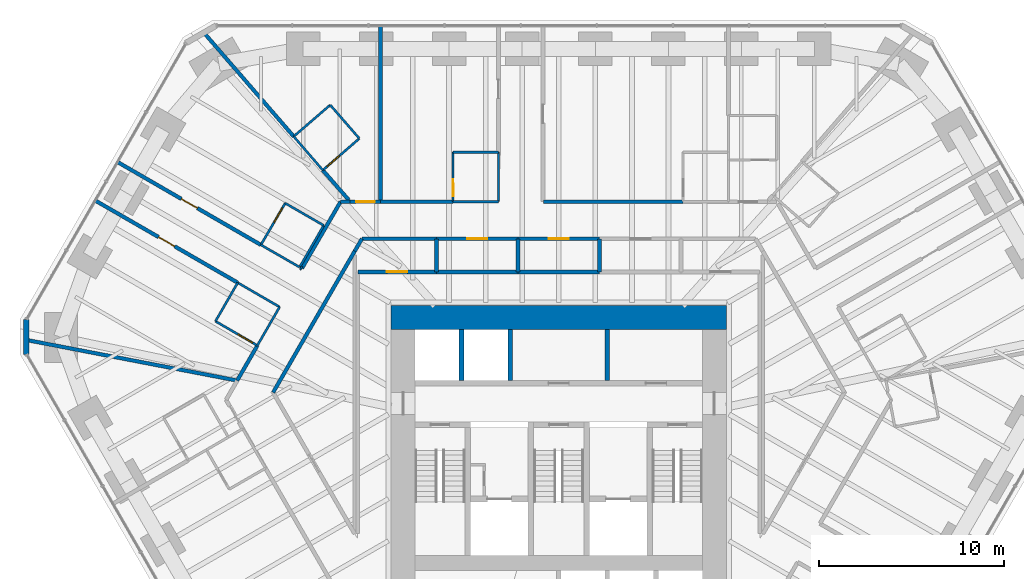
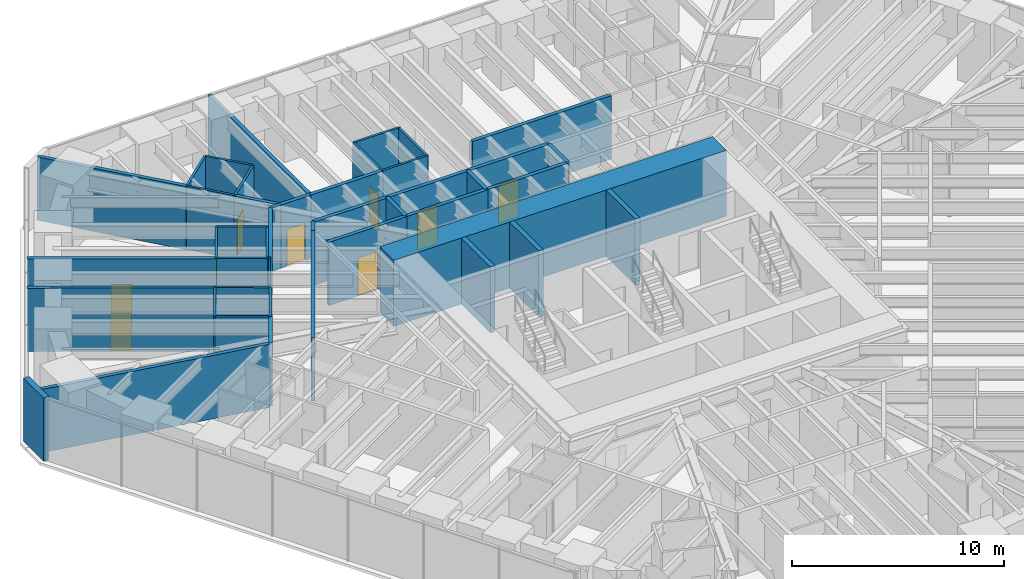
# One storey, part 14 of 17: 45 walls, 10 doors, 10 openings.
"""IFC4 building model written with IfcOpenShell, lengths in metres."""

from ifc_helpers import new_model, si_unit, direction, frame, frame_2d, origin, place, context, subcontext, project, spatial, rectangle, extrude, material, layer, layer_set, type_object, element, fill, save


model = new_model("IFC4")

# Units and contexts
model_context = context("Model", 3, precision=1e-05, world=origin(), true_north=direction((0.0, 1.0)))
body_context = subcontext(model_context, "Body", "Model", "MODEL_VIEW")
ifc_project = project(units=[si_unit("LENGTHUNIT", "METRE"), si_unit("AREAUNIT", "SQUARE_METRE"), si_unit("VOLUMEUNIT", "CUBIC_METRE"), si_unit("PLANEANGLEUNIT", "RADIAN"), si_unit("MASSUNIT", "GRAM", prefix="KILO")], contexts=[model_context])

# Site, building, storey
site_placement = place(None, origin())
site = spatial("IfcSite", under=ifc_project, at=site_placement, CompositionType="ELEMENT")
building_placement = place(site_placement, origin())
building = spatial("IfcBuilding", under=site, at=building_placement, Name="Sandreach Pilgrim Tower", CompositionType="ELEMENT")
storey_placement = place(building_placement, frame((0.0, 0.0, 104.39990234375)))
storey = spatial("IfcBuildingStorey", under=building, at=storey_placement, Name="L25", CompositionType="ELEMENT", Elevation=104.39990234375)

# Wall, opening, door
ifc_material_1 = material(Name="Moisture-resistant gypsum board on steel studs", Category="steel")
ifc_layer_1 = layer(ifc_material_1, 0.1201171875)
ifc_layer_set_1 = layer_set([ifc_layer_1], Name="Bathroom partition 120")
wall_type_1 = type_object("IfcWallType", Name="Bathroom partition 120", PredefinedType="PARTITIONING", material=ifc_layer_set_1)
wall_1_placement = place(storey_placement, frame((-18.52001953125, 6.5400390625, 0.0), z_axis=(0.0, 0.0, 1.0), x_axis=(0.865155281359, -0.50150407689, 0.0)))
wall_1 = element("IfcWall", 1, at=wall_1_placement, inside=storey, type_object=wall_type_1, Name="Bathroom partition L25-012", PredefinedType="PARTITIONING", context=body_context, shape_type="SweptSolid", body=[
    extrude(rectangle(XDim=2.6123046875, YDim=0.1201171875, at=frame_2d((1.30615234375, 0.0))), origin(), (0.0, 0.0, 1.0), 3.64013671875),
])
opening_1_placement = place(wall_1_placement, frame((1.412109375, 0.0, 0.0)))
opening_1 = element("IfcOpeningElement", 2, at=opening_1_placement, cuts=wall_1, Name="Opening D09-16B", PredefinedType="OPENING", context=body_context, shape_type="SweptSolid", body=[
    extrude(rectangle(XDim=0.89990234375, YDim=2.030029296875, at=frame_2d((0.449951171875, 1.01513671875))), frame((0.0, 0.06005859375, 0.0), z_axis=(0.0, -1.0, 0.0), x_axis=(1.0, 0.0, 0.0)), (0.0, 0.0, 1.0), 0.1201171875),
])
ifc_material_2 = material(Name="Timber door, steel frame", Category="steel")
door_type_1 = type_object("IfcDoorType", Name="Bathroom door", OperationType="SINGLE_SWING_LEFT", PredefinedType="DOOR", material=ifc_material_2)
door_1_placement = place(opening_1_placement, origin())
door_1 = element("IfcDoor", 3, at=door_1_placement, inside=storey, type_object=door_type_1, Name="Door 2516B", OperationType="SINGLE_SWING_RIGHT", OverallHeight=2.030029296875, OverallWidth=0.89990234375, PredefinedType="DOOR", context=body_context, shape_type="SweptSolid", body=[
    extrude(rectangle(XDim=0.89990234375, YDim=2.030029296875, at=frame_2d((0.449951171875, 1.01513671875))), frame((0.0, 0.02490234375, 0.0), z_axis=(0.0, -1.0, 0.0), x_axis=(1.0, 0.0, 0.0)), (0.0, 0.0, 1.0), 0.050048828125),
])
fill(opening_1, door_1)

# Walls
wall_2_placement = place(storey_placement, frame((-17.320068359375, 8.6201171875, 0.0), z_axis=(0.0, 0.0, 1.0), x_axis=(-0.499693115345, -0.866202511239, 0.0)))
element("IfcWall", 4, at=wall_2_placement, inside=storey, type_object=wall_type_1, Name="Bathroom partition L25-020", PredefinedType="PARTITIONING", context=body_context, shape_type="SweptSolid", body=[
    extrude(rectangle(XDim=2.4013671875, YDim=0.1201171875, at=frame_2d((1.20068359375, 0.0))), origin(), (0.0, 0.0, 1.0), 3.64013671875),
])
wall_3_placement = place(storey_placement, frame((-17.320068359375, 8.6201171875, 0.0), z_axis=(0.0, 0.0, 1.0), x_axis=(0.865155281359, -0.50150407689, 0.0)))
element("IfcWall", 5, at=wall_3_placement, inside=storey, type_object=wall_type_1, Name="Bathroom partition L25-021", PredefinedType="PARTITIONING", context=body_context, shape_type="SweptSolid", body=[
    extrude(rectangle(XDim=2.6123046875, YDim=0.1201171875, at=frame_2d((1.30615234375, 0.0))), origin(), (0.0, 0.0, 1.0), 3.64013671875),
])
wall_4_placement = place(storey_placement, frame((-16.261474609375, 5.23095703125, 0.0), z_axis=(0.0, 0.0, 1.0), x_axis=(0.500326720225, 0.865836689583, 0.0)))
element("IfcWall", 6, at=wall_4_placement, inside=storey, type_object=wall_type_1, Name="Bathroom partition L25-023", PredefinedType="PARTITIONING", context=body_context, shape_type="SweptSolid", body=[
    extrude(rectangle(XDim=2.4013671875, YDim=0.1201171875, at=frame_2d((1.20068359375, 0.0))), origin(), (0.0, 0.0, 1.0), 3.64013671875),
])
wall_5_placement = place(storey_placement, frame((-16.070068359375, 10.659912109375, 0.0), z_axis=(0.0, 0.0, 1.0), x_axis=(0.866987280299, -0.498330267795, 0.0)))
element("IfcWall", 7, at=wall_5_placement, inside=storey, type_object=wall_type_1, Name="Bathroom partition L25-024", PredefinedType="PARTITIONING", context=body_context, shape_type="SweptSolid", body=[
    extrude(rectangle(XDim=2.409912109375, YDim=0.1201171875, at=frame_2d((1.205078125, 0.0))), origin(), (0.0, 0.0, 1.0), 3.64013671875),
])

# Wall, opening, door
wall_6_placement = place(storey_placement, frame((-14.760009765625, 12.909912109375, 0.0), z_axis=(0.0, 0.0, 1.0), x_axis=(-0.503171227198, -0.864186736834, 0.0)))
wall_6 = element("IfcWall", 8, at=wall_6_placement, inside=storey, type_object=wall_type_1, Name="Bathroom partition L25-027", PredefinedType="PARTITIONING", context=body_context, shape_type="SweptSolid", body=[
    extrude(rectangle(XDim=2.603515625, YDim=0.1201171875, at=frame_2d((1.3017578125, 0.0))), origin(), (0.0, 0.0, 1.0), 3.64013671875),
])
opening_2_placement = place(wall_6_placement, frame((0.300048828125, 0.0, 0.0)))
opening_2 = element("IfcOpeningElement", 9, at=opening_2_placement, cuts=wall_6, Name="Opening D09-17B", PredefinedType="OPENING", context=body_context, shape_type="SweptSolid", body=[
    extrude(rectangle(XDim=0.89990234375, YDim=2.030029296875, at=frame_2d((0.449951171875, 1.01513671875))), frame((0.0, 0.06005859375, 0.0), z_axis=(0.0, -1.0, 0.0), x_axis=(1.0, 0.0, 0.0)), (0.0, 0.0, 1.0), 0.1201171875),
])
door_2_placement = place(opening_2_placement, origin())
door_2 = element("IfcDoor", 10, at=door_2_placement, inside=storey, type_object=door_type_1, Name="Door 2517B", OperationType="SINGLE_SWING_LEFT", OverallHeight=2.030029296875, OverallWidth=0.89990234375, PredefinedType="DOOR", context=body_context, shape_type="SweptSolid", body=[
    extrude(rectangle(XDim=0.89990234375, YDim=2.030029296875, at=frame_2d((0.449951171875, 1.01513671875))), frame((0.0, 0.02490234375, 0.0), z_axis=(0.0, -1.0, 0.0), x_axis=(1.0, 0.0, 0.0)), (0.0, 0.0, 1.0), 0.050048828125),
])
fill(opening_2, door_2)

# Walls
wall_7_placement = place(storey_placement, frame((-14.300048828125, 16.510009765625, 0.0), z_axis=(0.0, 0.0, 1.0), x_axis=(0.653188728136, -0.757195143563, 0.0)))
element("IfcWall", 11, at=wall_7_placement, inside=storey, type_object=wall_type_1, Name="Bathroom partition L25-028", PredefinedType="PARTITIONING", context=body_context, shape_type="SweptSolid", body=[
    extrude(rectangle(XDim=2.40380859375, YDim=0.1201171875, at=frame_2d((1.201904296875, 0.0))), origin(), (0.0, 0.0, 1.0), 3.64013671875),
])
wall_8_placement = place(storey_placement, frame((-13.97998046875, 9.4599609375, 0.0), z_axis=(0.0, 0.0, 1.0), x_axis=(0.500291685314, 0.865856933682, 0.0)))
element("IfcWall", 12, at=wall_8_placement, inside=storey, type_object=wall_type_1, Name="Bathroom partition L25-030", PredefinedType="PARTITIONING", context=body_context, shape_type="SweptSolid", body=[
    extrude(rectangle(XDim=2.5986328125, YDim=0.1201171875, at=frame_2d((1.29931640625, 0.0))), origin(), (0.0, 0.0, 1.0), 3.64013671875),
])

# Wall, opening, door
wall_9_placement = place(storey_placement, frame((-12.72998046875, 14.68994140625, 0.0), z_axis=(0.0, 0.0, 1.0), x_axis=(0.755185511235, 0.655511131576, 0.0)))
wall_9 = element("IfcWall", 13, at=wall_9_placement, inside=storey, type_object=wall_type_1, Name="Bathroom partition L25-035", PredefinedType="PARTITIONING", context=body_context, shape_type="SweptSolid", body=[
    extrude(rectangle(XDim=2.608642578125, YDim=0.1201171875, at=frame_2d((1.30419921875, 0.0))), origin(), (0.0, 0.0, 1.0), 3.64013671875),
])
opening_3_placement = place(wall_9_placement, frame((0.300048828125, 0.0, 0.0)))
opening_3 = element("IfcOpeningElement", 14, at=opening_3_placement, cuts=wall_9, Name="Opening D09-01B", PredefinedType="OPENING", context=body_context, shape_type="SweptSolid", body=[
    extrude(rectangle(XDim=0.89990234375, YDim=2.030029296875, at=frame_2d((0.449951171875, 1.01513671875))), frame((0.0, 0.06005859375, 0.0), z_axis=(0.0, -1.0, 0.0), x_axis=(1.0, 0.0, 0.0)), (0.0, 0.0, 1.0), 0.1201171875),
])
door_3_placement = place(opening_3_placement, origin())
door_3 = element("IfcDoor", 15, at=door_3_placement, inside=storey, type_object=door_type_1, Name="Door 2501B", OperationType="SINGLE_SWING_LEFT", OverallHeight=2.030029296875, OverallWidth=0.89990234375, PredefinedType="DOOR", context=body_context, shape_type="SweptSolid", body=[
    extrude(rectangle(XDim=0.89990234375, YDim=2.030029296875, at=frame_2d((0.449951171875, 1.01513671875))), frame((0.0, 0.02490234375, 0.0), z_axis=(0.0, -1.0, 0.0), x_axis=(1.0, 0.0, 0.0)), (0.0, 0.0, 1.0), 0.050048828125),
])
fill(opening_3, door_3)

# Walls
wall_10_placement = place(storey_placement, frame((-12.679931640625, 11.7099609375, 0.0), z_axis=(0.0, 0.0, 1.0), x_axis=(-0.866202511239, 0.499693115345, 0.0)))
element("IfcWall", 16, at=wall_10_placement, inside=storey, type_object=wall_type_1, Name="Bathroom partition L25-036", PredefinedType="PARTITIONING", context=body_context, shape_type="SweptSolid", body=[
    extrude(rectangle(XDim=2.4013671875, YDim=0.1201171875, at=frame_2d((1.20068359375, 0.0))), origin(), (0.0, 0.0, 1.0), 3.64013671875),
])
wall_11_placement = place(storey_placement, frame((-12.330078125, 18.2099609375, 0.0), z_axis=(0.0, 0.0, 1.0), x_axis=(-0.757086659925, -0.653314464377, 0.0)))
element("IfcWall", 17, at=wall_11_placement, inside=storey, type_object=wall_type_1, Name="Bathroom partition L25-037", PredefinedType="PARTITIONING", context=body_context, shape_type="SweptSolid", body=[
    extrude(rectangle(XDim=2.60205078125, YDim=0.1201171875, at=frame_2d((1.301025390625, 0.0))), origin(), (0.0, 0.0, 1.0), 3.64013671875),
])
wall_12_placement = place(storey_placement, frame((-10.760009765625, 16.39990234375, 0.0), z_axis=(0.0, 0.0, 1.0), x_axis=(-0.655252439976, 0.755409981338, 0.0)))
element("IfcWall", 18, at=wall_12_placement, inside=storey, type_object=wall_type_1, Name="Bathroom partition L25-046", PredefinedType="PARTITIONING", context=body_context, shape_type="SweptSolid", body=[
    extrude(rectangle(XDim=2.396240234375, YDim=0.1201171875, at=frame_2d((1.1982421875, 0.0))), origin(), (0.0, 0.0, 1.0), 3.64013671875),
])

# Wall, opening, door
wall_13_placement = place(storey_placement, frame((-5.7099609375, 15.659912109375, 0.0), z_axis=(0.0, 0.0, 1.0), x_axis=(0.003749059241, -0.999992972253, 0.0)))
wall_13 = element("IfcWall", 19, at=wall_13_placement, inside=storey, type_object=wall_type_1, Name="Bathroom partition L25-062", PredefinedType="PARTITIONING", context=body_context, shape_type="SweptSolid", body=[
    extrude(rectangle(XDim=2.669921875, YDim=0.1201171875, at=frame_2d((1.3349609375, 0.0))), origin(), (0.0, 0.0, 1.0), 3.64013671875),
])
opening_4_placement = place(wall_13_placement, frame((1.469970703125, 0.0, 0.0)))
opening_4 = element("IfcOpeningElement", 20, at=opening_4_placement, cuts=wall_13, Name="Opening D09-02B", PredefinedType="OPENING", context=body_context, shape_type="SweptSolid", body=[
    extrude(rectangle(XDim=0.89990234375, YDim=2.030029296875, at=frame_2d((0.449951171875, 1.01513671875))), frame((0.0, 0.06005859375, 0.0), z_axis=(0.0, -1.0, 0.0), x_axis=(1.0, 0.0, 0.0)), (0.0, 0.0, 1.0), 0.1201171875),
])
door_4_placement = place(opening_4_placement, origin())
door_4 = element("IfcDoor", 21, at=door_4_placement, inside=storey, type_object=door_type_1, Name="Door 2502B", OperationType="SINGLE_SWING_RIGHT", OverallHeight=2.030029296875, OverallWidth=0.89990234375, PredefinedType="DOOR", context=body_context, shape_type="SweptSolid", body=[
    extrude(rectangle(XDim=0.89990234375, YDim=2.030029296875, at=frame_2d((0.449951171875, 1.01513671875))), frame((0.0, 0.02490234375, 0.0), z_axis=(0.0, -1.0, 0.0), x_axis=(1.0, 0.0, 0.0)), (0.0, 0.0, 1.0), 0.050048828125),
])
fill(opening_4, door_4)

# Walls
wall_14_placement = place(storey_placement, frame((-3.25, 12.989990234375, 0.0), z_axis=(0.0, 0.0, 1.0), x_axis=(-1.0, 0.0, 0.0)))
element("IfcWall", 22, at=wall_14_placement, inside=storey, type_object=wall_type_1, Name="Bathroom partition L25-070", PredefinedType="PARTITIONING", context=body_context, shape_type="SweptSolid", body=[
    extrude(rectangle(XDim=2.449951171875, YDim=0.1201171875, at=frame_2d((1.22509765625, 0.0))), origin(), (0.0, 0.0, 1.0), 3.64013671875),
])
wall_15_placement = place(storey_placement, frame((-3.25, 15.659912109375, 0.0), z_axis=(0.0, 0.0, 1.0), x_axis=(-1.0, 0.0, 0.0)))
element("IfcWall", 23, at=wall_15_placement, inside=storey, type_object=wall_type_1, Name="Bathroom partition L25-071", PredefinedType="PARTITIONING", context=body_context, shape_type="SweptSolid", body=[
    extrude(rectangle(XDim=2.4599609375, YDim=0.1201171875, at=frame_2d((1.22998046875, 0.0))), origin(), (0.0, 0.0, 1.0), 3.64013671875),
])
wall_16_placement = place(storey_placement, frame((-3.25, 15.659912109375, 0.0), z_axis=(0.0, 0.0, 1.0), x_axis=(0.0, -1.0, 0.0)))
element("IfcWall", 24, at=wall_16_placement, inside=storey, type_object=wall_type_1, Name="Bathroom partition L25-072", PredefinedType="PARTITIONING", context=body_context, shape_type="SweptSolid", body=[
    extrude(rectangle(XDim=2.669921875, YDim=0.1201171875, at=frame_2d((1.3349609375, 0.0))), origin(), (0.0, 0.0, 1.0), 3.64013671875),
])
ifc_material_3 = material(Name="Concrete 10000 psi", Category="concrete")
ifc_layer_2 = layer(ifc_material_3, 1.300048828125)
ifc_layer_set_2 = layer_set([ifc_layer_2], Name="Core wall 1300")
wall_type_2 = type_object("IfcWallType", Name="Core wall 1300", PredefinedType="SHEAR", material=ifc_layer_set_2)
wall_17_placement = place(storey_placement, frame((-9.050048828125, 6.75, 0.0), z_axis=(0.0, 0.0, 1.0), x_axis=(1.0, 0.0, 0.0)))
element("IfcWall", 25, at=wall_17_placement, inside=storey, type_object=wall_type_2, Name="Core wall N L25", PredefinedType="SHEAR", context=body_context, shape_type="SweptSolid", body=[
    extrude(rectangle(XDim=18.10009765625, YDim=1.300048828125, at=frame_2d((9.050048828125, 0.0))), origin(), (0.0, 0.0, 1.0), 3.800048828125),
])

# Wall, opening, door
ifc_material_4 = material(Name="Gypsum board on steel studs, two layers each side", Category="steel")
ifc_layer_3 = layer(ifc_material_4, 0.199951171875)
ifc_layer_set_3 = layer_set([ifc_layer_3], Name="Corridor wall 200")
wall_type_3 = type_object("IfcWallType", Name="Corridor wall 200", PredefinedType="PARTITIONING", material=ifc_layer_set_3)
wall_18_placement = place(storey_placement, frame((-24.993896484375, 13.044921875, 0.0), z_axis=(0.0, 0.0, 1.0), x_axis=(0.866303025974, -0.499518835669, 0.0)))
wall_18 = element("IfcWall", 26, at=wall_18_placement, inside=storey, type_object=wall_type_3, Name="Corridor wall L25-002", PredefinedType="PARTITIONING", context=body_context, shape_type="SweptSolid", body=[
    extrude(rectangle(XDim=8.858154296875, YDim=0.199951171875, at=frame_2d((4.42919921875, 0.0))), origin(), (0.0, 0.0, 1.0), 3.64013671875),
])
opening_5_placement = place(wall_18_placement, frame((3.92919921875, 0.0, 0.0)))
opening_5 = element("IfcOpeningElement", 27, at=opening_5_placement, cuts=wall_18, Name="Opening D10-16", PredefinedType="OPENING", context=body_context, shape_type="SweptSolid", body=[
    extrude(rectangle(XDim=1.0, YDim=2.1298828125, at=frame_2d((0.5, 1.06494140625))), frame((0.0, 0.10009765625, 0.0), z_axis=(0.0, -1.0, 0.0), x_axis=(1.0, 0.0, 0.0)), (0.0, 0.0, 1.0), 0.199951171875),
])
ifc_material_5 = material(Name="Steel door and frame", Category="steel")
door_type_2 = type_object("IfcDoorType", Name="Guest room entry door", OperationType="SINGLE_SWING_LEFT", PredefinedType="DOOR", material=ifc_material_5)
door_5_placement = place(opening_5_placement, origin())
door_5 = element("IfcDoor", 28, at=door_5_placement, inside=storey, type_object=door_type_2, Name="Door 2516", OperationType="SINGLE_SWING_LEFT", OverallHeight=2.1298828125, OverallWidth=1.0, PredefinedType="DOOR", context=body_context, shape_type="SweptSolid", body=[
    extrude(rectangle(XDim=1.0, YDim=2.1298828125, at=frame_2d((0.5, 1.06494140625))), frame((0.0, 0.02490234375, 0.0), z_axis=(0.0, -1.0, 0.0), x_axis=(1.0, 0.0, 0.0)), (0.0, 0.0, 1.0), 0.050048828125),
])
fill(opening_5, door_5)

wall_19_placement = place(storey_placement, frame((-23.7939453125, 15.125, 0.0), z_axis=(0.0, 0.0, 1.0), x_axis=(0.865748355596, -0.500479554809, 0.0)))
wall_19 = element("IfcWall", 29, at=wall_19_placement, inside=storey, type_object=wall_type_3, Name="Corridor wall L25-004", PredefinedType="PARTITIONING", context=body_context, shape_type="SweptSolid", body=[
    extrude(rectangle(XDim=8.921630859375, YDim=0.199951171875, at=frame_2d((4.4609375, 0.0))), origin(), (0.0, 0.0, 1.0), 3.64013671875),
])
opening_6_placement = place(wall_19_placement, frame((3.960693359375, 0.0, 0.0)))
opening_6 = element("IfcOpeningElement", 30, at=opening_6_placement, cuts=wall_19, Name="Opening D10-17", PredefinedType="OPENING", context=body_context, shape_type="SweptSolid", body=[
    extrude(rectangle(XDim=1.0, YDim=2.1298828125, at=frame_2d((0.5, 1.06494140625))), frame((0.0, 0.10009765625, 0.0), z_axis=(0.0, -1.0, 0.0), x_axis=(1.0, 0.0, 0.0)), (0.0, 0.0, 1.0), 0.199951171875),
])
door_6_placement = place(opening_6_placement, origin())
door_6 = element("IfcDoor", 31, at=door_6_placement, inside=storey, type_object=door_type_2, Name="Door 2517", OperationType="SINGLE_SWING_LEFT", OverallHeight=2.1298828125, OverallWidth=1.0, PredefinedType="DOOR", context=body_context, shape_type="SweptSolid", body=[
    extrude(rectangle(XDim=1.0, YDim=2.1298828125, at=frame_2d((0.5, 1.06494140625))), frame((0.0, 0.02490234375, 0.0), z_axis=(0.0, -1.0, 0.0), x_axis=(1.0, 0.0, 0.0)), (0.0, 0.0, 1.0), 0.050048828125),
])
fill(opening_6, door_6)

# Walls
wall_20_placement = place(storey_placement, frame((-17.35009765625, 3.340087890625, 0.0), z_axis=(0.0, 0.0, 1.0), x_axis=(0.499641723021, 0.866232156305, 0.0)))
element("IfcWall", 32, at=wall_20_placement, inside=storey, type_object=wall_type_3, Name="Corridor wall L25-019", PredefinedType="PARTITIONING", context=body_context, shape_type="SweptSolid", body=[
    extrude(rectangle(XDim=2.181640625, YDim=0.199951171875, at=frame_2d((1.0908203125, 0.0))), origin(), (0.0, 0.0, 1.0), 3.64013671875),
])
wall_21_placement = place(storey_placement, frame((-15.409912109375, 2.699951171875, 0.0), z_axis=(0.0, 0.0, 1.0), x_axis=(0.500036278648, 0.866004457284, 0.0)))
element("IfcWall", 33, at=wall_21_placement, inside=storey, type_object=wall_type_3, Name="Corridor wall L25-026", PredefinedType="PARTITIONING", context=body_context, shape_type="SweptSolid", body=[
    extrude(rectangle(XDim=8.799072265625, YDim=0.199951171875, at=frame_2d((4.3994140625, 0.0))), origin(), (0.0, 0.0, 1.0), 3.64013671875),
])
wall_22_placement = place(storey_placement, frame((-13.937255859375, 9.43408203125, 0.0), z_axis=(0.0, 0.0, 1.0), x_axis=(0.867735735179, -0.497025848315, 0.0)))
element("IfcWall", 34, at=wall_22_placement, inside=storey, type_object=wall_type_3, Name="Corridor wall L25-031", PredefinedType="PARTITIONING", context=body_context, shape_type="SweptSolid", body=[
    extrude(rectangle(XDim=0.0888671875, YDim=0.199951171875, at=frame_2d((0.04443359375, 0.0))), origin(), (0.0, 0.0, 1.0), 3.64013671875),
])
wall_23_placement = place(storey_placement, frame((-11.77001953125, 12.989990234375, 0.0), z_axis=(0.0, 0.0, 1.0), x_axis=(-0.502083167097, -0.864819341434, 0.0)))
element("IfcWall", 35, at=wall_23_placement, inside=storey, type_object=wall_type_3, Name="Corridor wall L25-038", PredefinedType="PARTITIONING", context=body_context, shape_type="SweptSolid", body=[
    extrude(rectangle(XDim=4.162841796875, YDim=0.199951171875, at=frame_2d((2.08154296875, 0.0))), origin(), (0.0, 0.0, 1.0), 3.64013671875),
])
wall_24_placement = place(storey_placement, frame((-11.25, 12.989990234375, 0.0), z_axis=(0.0, 0.0, 1.0), x_axis=(-1.0, 0.0, 0.0)))
element("IfcWall", 36, at=wall_24_placement, inside=storey, type_object=wall_type_3, Name="Corridor wall L25-040", PredefinedType="PARTITIONING", context=body_context, shape_type="SweptSolid", body=[
    extrude(rectangle(XDim=0.52001953125, YDim=0.199951171875, at=frame_2d((0.260009765625, 0.0))), origin(), (0.0, 0.0, 1.0), 3.64013671875),
])
wall_25_placement = place(storey_placement, frame((-11.010009765625, 10.320068359375, 0.0), z_axis=(0.0, 0.0, 1.0), x_axis=(0.503009091795, 0.864281119527, 0.0)))
element("IfcWall", 37, at=wall_25_placement, inside=storey, type_object=wall_type_3, Name="Corridor wall L25-043", PredefinedType="PARTITIONING", context=body_context, shape_type="SweptSolid", body=[
    extrude(rectangle(XDim=0.775146484375, YDim=0.199951171875, at=frame_2d((0.3876953125, 0.0))), origin(), (0.0, 0.0, 1.0), 3.64013671875),
])
wall_26_placement = place(storey_placement, frame((-10.6201171875, 10.989990234375, 0.0), z_axis=(0.0, 0.0, 1.0), x_axis=(1.0, 0.0, 0.0)))
element("IfcWall", 38, at=wall_26_placement, inside=storey, type_object=wall_type_3, Name="Corridor wall L25-047", PredefinedType="PARTITIONING", context=body_context, shape_type="SweptSolid", body=[
    extrude(rectangle(XDim=4.02001953125, YDim=0.199951171875, at=frame_2d((2.010009765625, 0.0))), origin(), (0.0, 0.0, 1.0), 3.64013671875),
])

# Wall, opening, door
wall_27_placement = place(storey_placement, frame((-9.6201171875, 12.989990234375, 0.0), z_axis=(0.0, 0.0, 1.0), x_axis=(-1.0, 0.0, 0.0)))
wall_27 = element("IfcWall", 39, at=wall_27_placement, inside=storey, type_object=wall_type_3, Name="Corridor wall L25-049", PredefinedType="PARTITIONING", context=body_context, shape_type="SweptSolid", body=[
    extrude(rectangle(XDim=1.6298828125, YDim=0.199951171875, at=frame_2d((0.81494140625, 0.0))), origin(), (0.0, 0.0, 1.0), 3.64013671875),
])
opening_7_placement = place(wall_27_placement, frame((0.31494140625, 0.0, 0.0)))
opening_7 = element("IfcOpeningElement", 40, at=opening_7_placement, cuts=wall_27, Name="Opening D10-01", PredefinedType="OPENING", context=body_context, shape_type="SweptSolid", body=[
    extrude(rectangle(XDim=1.0, YDim=2.1298828125, at=frame_2d((0.5, 1.06494140625))), frame((0.0, 0.10009765625, 0.0), z_axis=(0.0, -1.0, 0.0), x_axis=(1.0, 0.0, 0.0)), (0.0, 0.0, 1.0), 0.199951171875),
])
door_7_placement = place(opening_7_placement, origin())
door_7 = element("IfcDoor", 41, at=door_7_placement, inside=storey, type_object=door_type_2, Name="Door 2501", OperationType="SINGLE_SWING_LEFT", OverallHeight=2.1298828125, OverallWidth=1.0, PredefinedType="DOOR", context=body_context, shape_type="SweptSolid", body=[
    extrude(rectangle(XDim=1.0, YDim=2.1298828125, at=frame_2d((0.5, 1.06494140625))), frame((0.0, 0.02490234375, 0.0), z_axis=(0.0, -1.0, 0.0), x_axis=(1.0, 0.0, 0.0)), (0.0, 0.0, 1.0), 0.050048828125),
])
fill(opening_7, door_7)

wall_28_placement = place(storey_placement, frame((-6.60009765625, 9.199951171875, 0.0), z_axis=(0.0, 0.0, 1.0), x_axis=(-1.0, 0.0, 0.0)))
wall_28 = element("IfcWall", 42, at=wall_28_placement, inside=storey, type_object=wall_type_3, Name="Corridor wall L25-058", PredefinedType="PARTITIONING", context=body_context, shape_type="SweptSolid", body=[
    extrude(rectangle(XDim=4.239990234375, YDim=0.199951171875, at=frame_2d((2.1201171875, 0.0))), origin(), (0.0, 0.0, 1.0), 3.64013671875),
])
opening_8_placement = place(wall_28_placement, frame((1.570068359375, 0.0, 0.0)))
opening_8 = element("IfcOpeningElement", 43, at=opening_8_placement, cuts=wall_28, Name="Opening D11H-M02", PredefinedType="OPENING", context=body_context, shape_type="SweptSolid", body=[
    extrude(rectangle(XDim=1.10009765625, YDim=2.199951171875, at=frame_2d((0.550048828125, 1.10009765625))), frame((0.0, 0.10009765625, 0.0), z_axis=(0.0, -1.0, 0.0), x_axis=(1.0, 0.0, 0.0)), (0.0, 0.0, 1.0), 0.199951171875),
])
ifc_material_6 = material(Name="Steel door and frame", Category="steel")
door_type_3 = type_object("IfcDoorType", Name="Back of house door", OperationType="SINGLE_SWING_LEFT", PredefinedType="DOOR", material=ifc_material_6)
door_8_placement = place(opening_8_placement, origin())
door_8 = element("IfcDoor", 44, at=door_8_placement, inside=storey, type_object=door_type_3, Name="Door 25M02", OperationType="SINGLE_SWING_LEFT", OverallHeight=2.199951171875, OverallWidth=1.10009765625, PredefinedType="DOOR", context=body_context, shape_type="SweptSolid", body=[
    extrude(rectangle(XDim=1.10009765625, YDim=2.199951171875, at=frame_2d((0.550048828125, 1.10009765625))), frame((0.0, 0.02490234375, 0.0), z_axis=(0.0, -1.0, 0.0), x_axis=(1.0, 0.0, 0.0)), (0.0, 0.0, 1.0), 0.050048828125),
])
fill(opening_8, door_8)

wall_29_placement = place(storey_placement, frame((-6.60009765625, 10.989990234375, 0.0), z_axis=(0.0, 0.0, 1.0), x_axis=(1.0, 0.0, 0.0)))
wall_29 = element("IfcWall", 45, at=wall_29_placement, inside=storey, type_object=wall_type_3, Name="Corridor wall L25-060", PredefinedType="PARTITIONING", context=body_context, shape_type="SweptSolid", body=[
    extrude(rectangle(XDim=4.400146484375, YDim=0.199951171875, at=frame_2d((2.2001953125, 0.0))), origin(), (0.0, 0.0, 1.0), 3.64013671875),
])
opening_9_placement = place(wall_29_placement, frame((1.64990234375, 0.0, 0.0)))
opening_9 = element("IfcOpeningElement", 46, at=opening_9_placement, cuts=wall_29, Name="Opening D11H-M03", PredefinedType="OPENING", context=body_context, shape_type="SweptSolid", body=[
    extrude(rectangle(XDim=1.10009765625, YDim=2.199951171875, at=frame_2d((0.550048828125, 1.10009765625))), frame((0.0, 0.10009765625, 0.0), z_axis=(0.0, -1.0, 0.0), x_axis=(1.0, 0.0, 0.0)), (0.0, 0.0, 1.0), 0.199951171875),
])
door_9_placement = place(opening_9_placement, origin())
door_9 = element("IfcDoor", 47, at=door_9_placement, inside=storey, type_object=door_type_3, Name="Door 25M03", OperationType="SINGLE_SWING_LEFT", OverallHeight=2.199951171875, OverallWidth=1.10009765625, PredefinedType="DOOR", context=body_context, shape_type="SweptSolid", body=[
    extrude(rectangle(XDim=1.10009765625, YDim=2.199951171875, at=frame_2d((0.550048828125, 1.10009765625))), frame((0.0, 0.02490234375, 0.0), z_axis=(0.0, -1.0, 0.0), x_axis=(1.0, 0.0, 0.0)), (0.0, 0.0, 1.0), 0.050048828125),
])
fill(opening_9, door_9)

# Walls
wall_30_placement = place(storey_placement, frame((-5.699951171875, 12.989990234375, 0.0), z_axis=(0.0, 0.0, 1.0), x_axis=(-1.0, 0.0, 0.0)))
element("IfcWall", 48, at=wall_30_placement, inside=storey, type_object=wall_type_3, Name="Corridor wall L25-063", PredefinedType="PARTITIONING", context=body_context, shape_type="SweptSolid", body=[
    extrude(rectangle(XDim=3.920166015625, YDim=0.199951171875, at=frame_2d((1.9599609375, 0.0))), origin(), (0.0, 0.0, 1.0), 3.64013671875),
])
wall_31_placement = place(storey_placement, frame((-2.199951171875, 9.199951171875, 0.0), z_axis=(0.0, 0.0, 1.0), x_axis=(-1.0, 0.0, 0.0)))
element("IfcWall", 49, at=wall_31_placement, inside=storey, type_object=wall_type_3, Name="Corridor wall L25-074", PredefinedType="PARTITIONING", context=body_context, shape_type="SweptSolid", body=[
    extrude(rectangle(XDim=4.400146484375, YDim=0.199951171875, at=frame_2d((2.2001953125, 0.0))), origin(), (0.0, 0.0, 1.0), 3.64013671875),
])

# Wall, opening, door
wall_32_placement = place(storey_placement, frame((-2.199951171875, 10.989990234375, 0.0), z_axis=(0.0, 0.0, 1.0), x_axis=(1.0, 0.0, 0.0)))
wall_32 = element("IfcWall", 50, at=wall_32_placement, inside=storey, type_object=wall_type_3, Name="Corridor wall L25-076", PredefinedType="PARTITIONING", context=body_context, shape_type="SweptSolid", body=[
    extrude(rectangle(XDim=4.39990234375, YDim=0.199951171875, at=frame_2d((2.199951171875, 0.0))), origin(), (0.0, 0.0, 1.0), 3.64013671875),
])
opening_10_placement = place(wall_32_placement, frame((1.64990234375, 0.0, 0.0)))
opening_10 = element("IfcOpeningElement", 51, at=opening_10_placement, cuts=wall_32, Name="Opening D11H-M04", PredefinedType="OPENING", context=body_context, shape_type="SweptSolid", body=[
    extrude(rectangle(XDim=1.10009765625, YDim=2.199951171875, at=frame_2d((0.550048828125, 1.10009765625))), frame((0.0, 0.10009765625, 0.0), z_axis=(0.0, -1.0, 0.0), x_axis=(1.0, 0.0, 0.0)), (0.0, 0.0, 1.0), 0.199951171875),
])
door_10_placement = place(opening_10_placement, origin())
door_10 = element("IfcDoor", 52, at=door_10_placement, inside=storey, type_object=door_type_3, Name="Door 25M04", OperationType="SINGLE_SWING_LEFT", OverallHeight=2.199951171875, OverallWidth=1.10009765625, PredefinedType="DOOR", context=body_context, shape_type="SweptSolid", body=[
    extrude(rectangle(XDim=1.10009765625, YDim=2.199951171875, at=frame_2d((0.550048828125, 1.10009765625))), frame((0.0, 0.02490234375, 0.0), z_axis=(0.0, -1.0, 0.0), x_axis=(1.0, 0.0, 0.0)), (0.0, 0.0, 1.0), 0.050048828125),
])
fill(opening_10, door_10)

# Walls
wall_33_placement = place(storey_placement, frame((2.199951171875, 9.199951171875, 0.0), z_axis=(0.0, 0.0, 1.0), x_axis=(-1.0, 0.0, 0.0)))
element("IfcWall", 53, at=wall_33_placement, inside=storey, type_object=wall_type_3, Name="Corridor wall L25-089", PredefinedType="PARTITIONING", context=body_context, shape_type="SweptSolid", body=[
    extrude(rectangle(XDim=4.39990234375, YDim=0.199951171875, at=frame_2d((2.199951171875, 0.0))), origin(), (0.0, 0.0, 1.0), 3.64013671875),
])
wall_34_placement = place(storey_placement, frame((6.7099609375, 12.989990234375, 0.0), z_axis=(0.0, 0.0, 1.0), x_axis=(-1.0, 0.0, 0.0)))
element("IfcWall", 54, at=wall_34_placement, inside=storey, type_object=wall_type_3, Name="Corridor wall L25-102", PredefinedType="PARTITIONING", context=body_context, shape_type="SweptSolid", body=[
    extrude(rectangle(XDim=7.544921875, YDim=0.199951171875, at=frame_2d((3.7724609375, 0.0))), origin(), (0.0, 0.0, 1.0), 3.64013671875),
])
ifc_material_7 = material(Name="Double steel stud acoustic wall, gypsum board", Category="steel")
ifc_layer_4 = layer(ifc_material_7, 0.199951171875)
ifc_layer_set_4 = layer_set([ifc_layer_4], Name="Party wall 200")
wall_type_4 = type_object("IfcWallType", Name="Party wall 200", PredefinedType="PARTITIONING", material=ifc_layer_set_4)
wall_35_placement = place(storey_placement, frame((-28.740478515625, 5.534423828125, 0.0), z_axis=(0.0, 0.0, 1.0), x_axis=(0.981941558077, -0.189184503913, 0.0)))
element("IfcWall", 55, at=wall_35_placement, inside=storey, type_object=wall_type_4, Name="Party wall L25-001", PredefinedType="PARTITIONING", context=body_context, shape_type="SweptSolid", body=[
    extrude(rectangle(XDim=11.5498046875, YDim=0.199951171875, at=frame_2d((5.77490234375, 0.0))), origin(), (0.0, 0.0, 1.0), 3.64013671875),
])
wall_36_placement = place(storey_placement, frame((-19.160400390625, 22.127197265625, 0.0), z_axis=(0.0, 0.0, 1.0), x_axis=(0.654324699903, -0.756213717871, 0.0)))
element("IfcWall", 56, at=wall_36_placement, inside=storey, type_object=wall_type_4, Name="Party wall L25-007", PredefinedType="PARTITIONING", context=body_context, shape_type="SweptSolid", body=[
    extrude(rectangle(XDim=7.427978515625, YDim=0.199951171875, at=frame_2d((3.7138671875, 0.0))), origin(), (0.0, 0.0, 1.0), 3.64013671875),
])
wall_37_placement = place(storey_placement, frame((-12.72998046875, 14.68994140625, 0.0), z_axis=(0.0, 0.0, 1.0), x_axis=(0.656624063312, -0.754218031792, 0.0)))
element("IfcWall", 57, at=wall_37_placement, inside=storey, type_object=wall_type_4, Name="Party wall L25-034", PredefinedType="PARTITIONING", context=body_context, shape_type="SweptSolid", body=[
    extrude(rectangle(XDim=2.143798828125, YDim=0.199951171875, at=frame_2d((1.07177734375, 0.0))), origin(), (0.0, 0.0, 1.0), 3.64013671875),
])
wall_38_placement = place(storey_placement, frame((-9.6201171875, 22.4599609375, 0.0), z_axis=(0.0, 0.0, 1.0), x_axis=(0.0, -1.0, 0.0)))
element("IfcWall", 58, at=wall_38_placement, inside=storey, type_object=wall_type_4, Name="Party wall L25-050", PredefinedType="PARTITIONING", context=body_context, shape_type="SweptSolid", body=[
    extrude(rectangle(XDim=9.455078125, YDim=0.199951171875, at=frame_2d((4.7275390625, 0.0))), origin(), (0.0, 0.0, 1.0), 3.64013671875),
])
for number, where, z_axis, x_axis, name in (
    (59, (-6.60009765625, 10.97998046875, 0.0), (0.0, 0.0, 1.0), (0.0, -1.0, 0.0), "Party wall L25-059"),
    (60, (-2.199951171875, 10.97998046875, 0.0), (0.0, 0.0, 1.0), (0.0, -1.0, 0.0), "Party wall L25-075"),
    (61, (2.199951171875, 10.97998046875, 0.0), (0.0, 0.0, 1.0), (0.0, -1.0, 0.0), "Party wall L25-090"),
):
    element("IfcWall", number, at=place(storey_placement, frame(where, z_axis=z_axis, x_axis=x_axis)), inside=storey, type_object=wall_type_4, Name=name, PredefinedType="PARTITIONING", context=body_context, shape_type="SweptSolid", body=[
        extrude(rectangle(XDim=1.77001953125, YDim=0.199951171875, at=frame_2d((0.885009765625, 0.0))), origin(), (0.0, 0.0, 1.0), 3.64013671875),
    ])
ifc_material_8 = material(Name="Gypsum shaft wall on steel studs, two layers of shaft liner board", Category="steel")
ifc_layer_5 = layer(ifc_material_8, 0.25)
ifc_layer_set_5 = layer_set([ifc_layer_5], Name="Shaft partition 250")
wall_type_5 = type_object("IfcWallType", Name="Shaft partition 250", PredefinedType="PARTITIONING", material=ifc_layer_set_5)
for number, where, z_axis, x_axis, name in (
    (62, (-5.25, 3.35009765625, 0.0), (0.0, 0.0, 1.0), (0.0, 1.0, 0.0), "Shaft partition NS0 L25"),
    (63, (-2.625, 3.35009765625, 0.0), (0.0, 0.0, 1.0), (0.0, 1.0, 0.0), "Shaft partition NS1 L25"),
    (64, (2.625, 3.35009765625, 0.0), (0.0, 0.0, 1.0), (0.0, 1.0, 0.0), "Shaft partition NS3 L25"),
):
    element("IfcWall", number, at=place(storey_placement, frame(where, z_axis=z_axis, x_axis=x_axis)), inside=storey, type_object=wall_type_5, Name=name, PredefinedType="PARTITIONING", context=body_context, shape_type="SweptSolid", body=[
        extrude(rectangle(XDim=2.75, YDim=0.25, at=frame_2d((1.375, 0.0))), origin(), (0.0, 0.0, 1.0), 3.800048828125),
    ])
ifc_material_9 = material(Name="Terracotta rainscreen on concrete", Category="masonry")
ifc_layer_6 = layer(ifc_material_9, 0.300048828125)
ifc_layer_set_6 = layer_set([ifc_layer_6], Name="Terracotta chamfer pier")
wall_type_6 = type_object("IfcWallType", Name="Terracotta chamfer pier", PredefinedType="SOLIDWALL", material=ifc_layer_set_6)
wall_39_placement = place(storey_placement, frame((-28.720947265625, 4.758544921875, 0.0), z_axis=(0.0, 0.0, 1.0), x_axis=(0.0, 1.0, 0.0)))
element("IfcWall", 65, at=wall_39_placement, inside=storey, type_object=wall_type_6, Name="Chamfer pier L25 SW", PredefinedType="SOLIDWALL", context=body_context, shape_type="SweptSolid", body=[
    extrude(rectangle(XDim=1.8798828125, YDim=0.300048828125, at=frame_2d((0.93994140625, 0.0))), origin(), (0.0, 0.0, 1.0), 3.64013671875),
])

save(model, "model.ifc")
